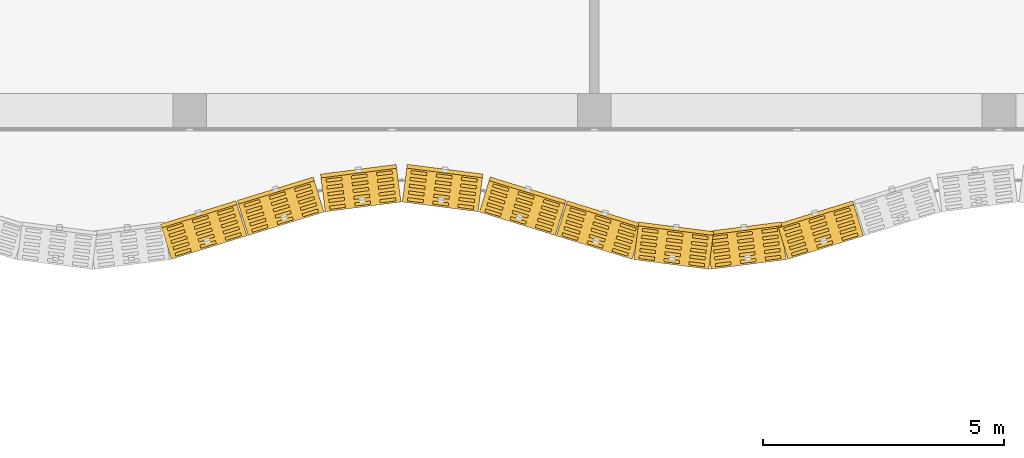
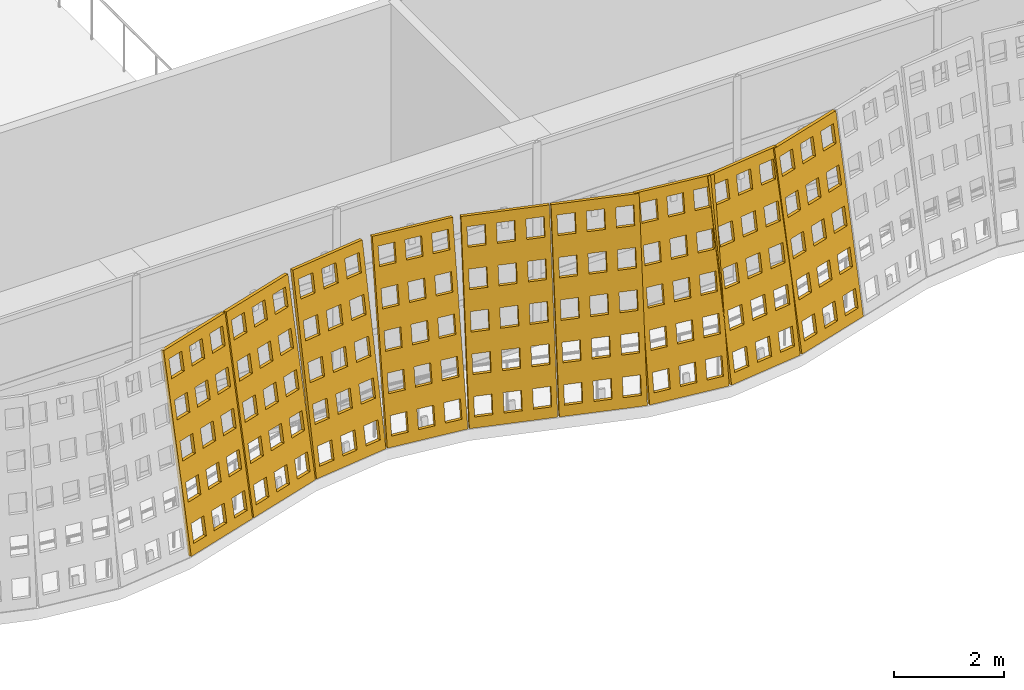
# One storey, part 130 of 162: 9 coverings.
"""IFC4 building model written with IfcOpenShell, lengths in metres."""

from ifc_helpers import new_model, si_unit, direction, frame, origin, place, context, subcontext, project, spatial, polyline, outline, extrude, material, layer, layer_set, type_object, element, save


model = new_model("IFC4")

# Units and contexts
model_context = context("Model", 3, precision=1e-05, world=origin(), true_north=direction((0.0, 1.0)))
body_context = subcontext(model_context, "Body", "Model", "MODEL_VIEW")
ifc_project = project(units=[si_unit("LENGTHUNIT", "METRE"), si_unit("AREAUNIT", "SQUARE_METRE"), si_unit("VOLUMEUNIT", "CUBIC_METRE"), si_unit("PLANEANGLEUNIT", "RADIAN"), si_unit("MASSUNIT", "GRAM", prefix="KILO")], contexts=[model_context])

# Site, building, storey
site_placement = place(None, origin())
site = spatial("IfcSite", under=ifc_project, at=site_placement, CompositionType="ELEMENT")
building_placement = place(site_placement, origin())
building = spatial("IfcBuilding", under=site, at=building_placement, Name="Rain Tree Exposition and Congress Centre", CompositionType="ELEMENT")
storey_placement = place(building_placement, frame((0.0, 0.0, 6.0)))
storey = spatial("IfcBuildingStorey", under=building, at=storey_placement, Name="L01", CompositionType="ELEMENT", Elevation=6.0)

# Coverings
ifc_material = material(Name="Perforated terracotta", Category="masonry")
ifc_layer = layer(ifc_material, 0.080078125)
ifc_layer_set = layer_set([ifc_layer], Name="Perforated terracotta")
covering_type = type_object("IfcCoveringType", Name="Terracotta screen 80", PredefinedType="CLADDING", material=ifc_layer_set)
covering_1_placement = place(storey_placement, frame((7.99951171875, 72.506591796875, 0.0126953125), z_axis=(-0.292932171154, 0.942875425902, -0.158671592708), x_axis=(-0.954973588716, -0.296690823679, 0.0)))
element("IfcCovering", 1, at=covering_1_placement, inside=storey, type_object=covering_type, Name="concourse/screen/L01/006", PredefinedType="CLADDING", context=body_context, shape_type="SweptSolid", body=[
    extrude(outline(polyline([(-1.659912109375, 0.0), (-1.659912109375, 4.29150390625), (-0.02197265625, 4.29150390625), (-0.02197265625, 0.0), (-1.659912109375, 0.0)]), holes=[polyline([(-0.125732421875, 0.221435546875), (-0.125732421875, 0.63671875), (-0.464111328125, 0.63671875), (-0.464111328125, 0.221435546875), (-0.125732421875, 0.221435546875)]), polyline([(-0.125732421875, 1.079833984375), (-0.125732421875, 1.4951171875), (-0.464111328125, 1.4951171875), (-0.464111328125, 1.079833984375), (-0.125732421875, 1.079833984375)]), polyline([(-0.125732421875, 1.93798828125), (-0.125732421875, 2.353271484375), (-0.464111328125, 2.353271484375), (-0.464111328125, 1.93798828125), (-0.125732421875, 1.93798828125)]), polyline([(-0.125732421875, 2.79638671875), (-0.125732421875, 3.211669921875), (-0.464111328125, 3.211669921875), (-0.464111328125, 2.79638671875), (-0.125732421875, 2.79638671875)]), polyline([(-0.125732421875, 3.654541015625), (-0.125732421875, 4.06982421875), (-0.464111328125, 4.06982421875), (-0.464111328125, 3.654541015625), (-0.125732421875, 3.654541015625)]), polyline([(-0.671630859375, 0.221435546875), (-0.671630859375, 0.63671875), (-1.010009765625, 0.63671875), (-1.010009765625, 0.221435546875), (-0.671630859375, 0.221435546875)]), polyline([(-0.671630859375, 1.079833984375), (-0.671630859375, 1.4951171875), (-1.010009765625, 1.4951171875), (-1.010009765625, 1.079833984375), (-0.671630859375, 1.079833984375)]), polyline([(-0.671630859375, 1.93798828125), (-0.671630859375, 2.353271484375), (-1.010009765625, 2.353271484375), (-1.010009765625, 1.93798828125), (-0.671630859375, 1.93798828125)]), polyline([(-0.671630859375, 2.79638671875), (-0.671630859375, 3.211669921875), (-1.010009765625, 3.211669921875), (-1.010009765625, 2.79638671875), (-0.671630859375, 2.79638671875)]), polyline([(-0.671630859375, 3.654541015625), (-0.671630859375, 4.06982421875), (-1.010009765625, 4.06982421875), (-1.010009765625, 3.654541015625), (-0.671630859375, 3.654541015625)]), polyline([(-1.217529296875, 0.221435546875), (-1.217529296875, 0.63671875), (-1.55615234375, 0.63671875), (-1.55615234375, 0.221435546875), (-1.217529296875, 0.221435546875)]), polyline([(-1.217529296875, 1.079833984375), (-1.217529296875, 1.4951171875), (-1.55615234375, 1.4951171875), (-1.55615234375, 1.079833984375), (-1.217529296875, 1.079833984375)]), polyline([(-1.217529296875, 1.93798828125), (-1.217529296875, 2.353271484375), (-1.55615234375, 2.353271484375), (-1.55615234375, 1.93798828125), (-1.217529296875, 1.93798828125)]), polyline([(-1.217529296875, 2.79638671875), (-1.217529296875, 3.211669921875), (-1.55615234375, 3.211669921875), (-1.55615234375, 2.79638671875), (-1.217529296875, 2.79638671875)]), polyline([(-1.217529296875, 3.654541015625), (-1.217529296875, 4.06982421875), (-1.55615234375, 4.06982421875), (-1.55615234375, 3.654541015625), (-1.217529296875, 3.654541015625)])]), origin(), (0.0, 0.0, 1.0), 0.080078125),
])
covering_2_placement = place(storey_placement, frame((9.599365234375, 73.001708984375, 0.0126953125), z_axis=(-0.290138898064, 0.943714942124, -0.158812870519), x_axis=(-0.955845867297, -0.293868470528, 0.0)))
element("IfcCovering", 2, at=covering_2_placement, inside=storey, type_object=covering_type, Name="concourse/screen/L01/007", PredefinedType="CLADDING", context=body_context, shape_type="SweptSolid", body=[
    extrude(outline(polyline([(-1.659912109375, 0.0), (-1.659912109375, 4.29150390625), (-0.014892578125, 4.29150390625), (-0.014892578125, 0.0), (-1.659912109375, 0.0)]), holes=[polyline([(-0.119140625, 0.221435546875), (-0.119140625, 0.63671875), (-0.458984375, 0.63671875), (-0.458984375, 0.221435546875), (-0.119140625, 0.221435546875)]), polyline([(-0.119140625, 1.079833984375), (-0.119140625, 1.4951171875), (-0.458984375, 1.4951171875), (-0.458984375, 1.079833984375), (-0.119140625, 1.079833984375)]), polyline([(-0.119140625, 1.93798828125), (-0.119140625, 2.353271484375), (-0.458984375, 2.353271484375), (-0.458984375, 1.93798828125), (-0.119140625, 1.93798828125)]), polyline([(-0.119140625, 2.79638671875), (-0.119140625, 3.211669921875), (-0.458984375, 3.211669921875), (-0.458984375, 2.79638671875), (-0.119140625, 2.79638671875)]), polyline([(-0.119140625, 3.654541015625), (-0.119140625, 4.06982421875), (-0.458984375, 4.06982421875), (-0.458984375, 3.654541015625), (-0.119140625, 3.654541015625)]), polyline([(-0.66748046875, 0.221435546875), (-0.66748046875, 0.63671875), (-1.00732421875, 0.63671875), (-1.00732421875, 0.221435546875), (-0.66748046875, 0.221435546875)]), polyline([(-0.66748046875, 1.079833984375), (-0.66748046875, 1.4951171875), (-1.00732421875, 1.4951171875), (-1.00732421875, 1.079833984375), (-0.66748046875, 1.079833984375)]), polyline([(-0.66748046875, 1.93798828125), (-0.66748046875, 2.353271484375), (-1.00732421875, 2.353271484375), (-1.00732421875, 1.93798828125), (-0.66748046875, 1.93798828125)]), polyline([(-0.66748046875, 2.79638671875), (-0.66748046875, 3.211669921875), (-1.00732421875, 3.211669921875), (-1.00732421875, 2.79638671875), (-0.66748046875, 2.79638671875)]), polyline([(-0.66748046875, 3.654541015625), (-0.66748046875, 4.06982421875), (-1.00732421875, 4.06982421875), (-1.00732421875, 3.654541015625), (-0.66748046875, 3.654541015625)]), polyline([(-1.2158203125, 0.221435546875), (-1.2158203125, 0.63671875), (-1.5556640625, 0.63671875), (-1.5556640625, 0.221435546875), (-1.2158203125, 0.221435546875)]), polyline([(-1.2158203125, 1.079833984375), (-1.2158203125, 1.4951171875), (-1.5556640625, 1.4951171875), (-1.5556640625, 1.079833984375), (-1.2158203125, 1.079833984375)]), polyline([(-1.2158203125, 1.93798828125), (-1.2158203125, 2.353271484375), (-1.5556640625, 2.353271484375), (-1.5556640625, 1.93798828125), (-1.2158203125, 1.93798828125)]), polyline([(-1.2158203125, 2.79638671875), (-1.2158203125, 3.211669921875), (-1.5556640625, 3.211669921875), (-1.5556640625, 2.79638671875), (-1.2158203125, 2.79638671875)]), polyline([(-1.2158203125, 3.654541015625), (-1.2158203125, 4.06982421875), (-1.5556640625, 4.06982421875), (-1.5556640625, 3.654541015625), (-1.2158203125, 3.654541015625)])]), origin(), (0.0, 0.0, 1.0), 0.079833984375),
])
covering_3_placement = place(storey_placement, frame((11.19970703125, 73.496826171875, 0.01318359375), z_axis=(-0.124968640969, 0.978413018317, -0.164592844203), x_axis=(-0.991941518713, -0.126696580272, 0.0)))
element("IfcCovering", 3, at=covering_3_placement, inside=storey, type_object=covering_type, Name="concourse/screen/L01/008", PredefinedType="CLADDING", context=body_context, shape_type="SweptSolid", body=[
    extrude(outline(polyline([(-1.59814453125, 0.0), (-1.59814453125, 4.295166015625), (-0.014892578125, 4.295166015625), (-0.014892578125, 0.0), (-1.59814453125, 0.0)]), holes=[polyline([(-0.115234375, 0.2216796875), (-0.115234375, 0.63720703125), (-0.4423828125, 0.63720703125), (-0.4423828125, 0.2216796875), (-0.115234375, 0.2216796875)]), polyline([(-0.115234375, 1.080810546875), (-0.115234375, 1.496337890625), (-0.4423828125, 1.496337890625), (-0.4423828125, 1.080810546875), (-0.115234375, 1.080810546875)]), polyline([(-0.115234375, 1.939697265625), (-0.115234375, 2.35546875), (-0.4423828125, 2.35546875), (-0.4423828125, 1.939697265625), (-0.115234375, 1.939697265625)]), polyline([(-0.115234375, 2.798583984375), (-0.115234375, 3.21435546875), (-0.4423828125, 3.21435546875), (-0.4423828125, 2.798583984375), (-0.115234375, 2.798583984375)]), polyline([(-0.115234375, 3.65771484375), (-0.115234375, 4.073486328125), (-0.4423828125, 4.073486328125), (-0.4423828125, 3.65771484375), (-0.115234375, 3.65771484375)]), polyline([(-0.64306640625, 0.2216796875), (-0.64306640625, 0.63720703125), (-0.97021484375, 0.63720703125), (-0.97021484375, 0.2216796875), (-0.64306640625, 0.2216796875)]), polyline([(-0.64306640625, 1.080810546875), (-0.64306640625, 1.496337890625), (-0.97021484375, 1.496337890625), (-0.97021484375, 1.080810546875), (-0.64306640625, 1.080810546875)]), polyline([(-0.64306640625, 1.939697265625), (-0.64306640625, 2.35546875), (-0.97021484375, 2.35546875), (-0.97021484375, 1.939697265625), (-0.64306640625, 1.939697265625)]), polyline([(-0.64306640625, 2.798583984375), (-0.64306640625, 3.21435546875), (-0.97021484375, 3.21435546875), (-0.97021484375, 2.798583984375), (-0.64306640625, 2.798583984375)]), polyline([(-0.64306640625, 3.65771484375), (-0.64306640625, 4.073486328125), (-0.97021484375, 4.073486328125), (-0.97021484375, 3.65771484375), (-0.64306640625, 3.65771484375)]), polyline([(-1.170654296875, 0.2216796875), (-1.170654296875, 0.63720703125), (-1.497802734375, 0.63720703125), (-1.497802734375, 0.2216796875), (-1.170654296875, 0.2216796875)]), polyline([(-1.170654296875, 1.080810546875), (-1.170654296875, 1.496337890625), (-1.497802734375, 1.496337890625), (-1.497802734375, 1.080810546875), (-1.170654296875, 1.080810546875)]), polyline([(-1.170654296875, 1.939697265625), (-1.170654296875, 2.35546875), (-1.497802734375, 2.35546875), (-1.497802734375, 1.939697265625), (-1.170654296875, 1.939697265625)]), polyline([(-1.170654296875, 2.798583984375), (-1.170654296875, 3.21435546875), (-1.497802734375, 3.21435546875), (-1.497802734375, 2.798583984375), (-1.170654296875, 2.798583984375)]), polyline([(-1.170654296875, 3.65771484375), (-1.170654296875, 4.073486328125), (-1.497802734375, 4.073486328125), (-1.497802734375, 3.65771484375), (-1.170654296875, 3.65771484375)])]), origin(), (0.0, 0.0, 1.0), 0.080078125),
])
covering_4_placement = place(storey_placement, frame((12.80029296875, 73.701904296875, 0.01318359375), z_axis=(0.125342414455, 0.978282259159, -0.165085131233), x_axis=(-0.991891686382, 0.127086122318, 0.0)))
element("IfcCovering", 4, at=covering_4_placement, inside=storey, type_object=covering_type, Name="concourse/screen/L01/009", PredefinedType="CLADDING", context=body_context, shape_type="SweptSolid", body=[
    extrude(outline(polyline([(-1.59814453125, 0.0), (-1.59814453125, 4.295166015625), (-0.014892578125, 4.295166015625), (-0.014892578125, 0.0), (-1.59814453125, 0.0)]), holes=[polyline([(-0.115234375, 0.2216796875), (-0.115234375, 0.63720703125), (-0.4423828125, 0.63720703125), (-0.4423828125, 0.2216796875), (-0.115234375, 0.2216796875)]), polyline([(-0.115234375, 1.080810546875), (-0.115234375, 1.496337890625), (-0.4423828125, 1.496337890625), (-0.4423828125, 1.080810546875), (-0.115234375, 1.080810546875)]), polyline([(-0.115234375, 1.939697265625), (-0.115234375, 2.35546875), (-0.4423828125, 2.35546875), (-0.4423828125, 1.939697265625), (-0.115234375, 1.939697265625)]), polyline([(-0.115234375, 2.798583984375), (-0.115234375, 3.21435546875), (-0.4423828125, 3.21435546875), (-0.4423828125, 2.798583984375), (-0.115234375, 2.798583984375)]), polyline([(-0.115234375, 3.65771484375), (-0.115234375, 4.073486328125), (-0.4423828125, 4.073486328125), (-0.4423828125, 3.65771484375), (-0.115234375, 3.65771484375)]), polyline([(-0.64306640625, 0.2216796875), (-0.64306640625, 0.63720703125), (-0.97021484375, 0.63720703125), (-0.97021484375, 0.2216796875), (-0.64306640625, 0.2216796875)]), polyline([(-0.64306640625, 1.080810546875), (-0.64306640625, 1.496337890625), (-0.97021484375, 1.496337890625), (-0.97021484375, 1.080810546875), (-0.64306640625, 1.080810546875)]), polyline([(-0.64306640625, 1.939697265625), (-0.64306640625, 2.35546875), (-0.97021484375, 2.35546875), (-0.97021484375, 1.939697265625), (-0.64306640625, 1.939697265625)]), polyline([(-0.64306640625, 2.798583984375), (-0.64306640625, 3.21435546875), (-0.97021484375, 3.21435546875), (-0.97021484375, 2.798583984375), (-0.64306640625, 2.798583984375)]), polyline([(-0.64306640625, 3.65771484375), (-0.64306640625, 4.073486328125), (-0.97021484375, 4.073486328125), (-0.97021484375, 3.65771484375), (-0.64306640625, 3.65771484375)]), polyline([(-1.170654296875, 0.2216796875), (-1.170654296875, 0.63720703125), (-1.497802734375, 0.63720703125), (-1.497802734375, 0.2216796875), (-1.170654296875, 0.2216796875)]), polyline([(-1.170654296875, 1.080810546875), (-1.170654296875, 1.496337890625), (-1.497802734375, 1.496337890625), (-1.497802734375, 1.080810546875), (-1.170654296875, 1.080810546875)]), polyline([(-1.170654296875, 1.939697265625), (-1.170654296875, 2.35546875), (-1.497802734375, 2.35546875), (-1.497802734375, 1.939697265625), (-1.170654296875, 1.939697265625)]), polyline([(-1.170654296875, 2.798583984375), (-1.170654296875, 3.21435546875), (-1.497802734375, 3.21435546875), (-1.497802734375, 2.798583984375), (-1.170654296875, 2.798583984375)]), polyline([(-1.170654296875, 3.65771484375), (-1.170654296875, 4.073486328125), (-1.497802734375, 4.073486328125), (-1.497802734375, 3.65771484375), (-1.170654296875, 3.65771484375)])]), origin(), (0.0, 0.0, 1.0), 0.079833984375),
])
covering_5_placement = place(storey_placement, frame((14.400634765625, 73.49658203125, 0.0126953125), z_axis=(0.290138898064, 0.943714942124, -0.158812870519), x_axis=(-0.955845867297, 0.293868470528, 0.0)))
element("IfcCovering", 5, at=covering_5_placement, inside=storey, type_object=covering_type, Name="concourse/screen/L01/010", PredefinedType="CLADDING", context=body_context, shape_type="SweptSolid", body=[
    extrude(outline(polyline([(-1.659912109375, 0.0), (-1.659912109375, 4.29150390625), (-0.014892578125, 4.29150390625), (-0.014892578125, 0.0), (-1.659912109375, 0.0)]), holes=[polyline([(-0.119140625, 0.221435546875), (-0.119140625, 0.63671875), (-0.458984375, 0.63671875), (-0.458984375, 0.221435546875), (-0.119140625, 0.221435546875)]), polyline([(-0.119140625, 1.079833984375), (-0.119140625, 1.4951171875), (-0.458984375, 1.4951171875), (-0.458984375, 1.079833984375), (-0.119140625, 1.079833984375)]), polyline([(-0.119140625, 1.93798828125), (-0.119140625, 2.353271484375), (-0.458984375, 2.353271484375), (-0.458984375, 1.93798828125), (-0.119140625, 1.93798828125)]), polyline([(-0.119140625, 2.79638671875), (-0.119140625, 3.211669921875), (-0.458984375, 3.211669921875), (-0.458984375, 2.79638671875), (-0.119140625, 2.79638671875)]), polyline([(-0.119140625, 3.654541015625), (-0.119140625, 4.06982421875), (-0.458984375, 4.06982421875), (-0.458984375, 3.654541015625), (-0.119140625, 3.654541015625)]), polyline([(-0.66748046875, 0.221435546875), (-0.66748046875, 0.63671875), (-1.00732421875, 0.63671875), (-1.00732421875, 0.221435546875), (-0.66748046875, 0.221435546875)]), polyline([(-0.66748046875, 1.079833984375), (-0.66748046875, 1.4951171875), (-1.00732421875, 1.4951171875), (-1.00732421875, 1.079833984375), (-0.66748046875, 1.079833984375)]), polyline([(-0.66748046875, 1.93798828125), (-0.66748046875, 2.353271484375), (-1.00732421875, 2.353271484375), (-1.00732421875, 1.93798828125), (-0.66748046875, 1.93798828125)]), polyline([(-0.66748046875, 2.79638671875), (-0.66748046875, 3.211669921875), (-1.00732421875, 3.211669921875), (-1.00732421875, 2.79638671875), (-0.66748046875, 2.79638671875)]), polyline([(-0.66748046875, 3.654541015625), (-0.66748046875, 4.06982421875), (-1.00732421875, 4.06982421875), (-1.00732421875, 3.654541015625), (-0.66748046875, 3.654541015625)]), polyline([(-1.2158203125, 0.221435546875), (-1.2158203125, 0.63671875), (-1.5556640625, 0.63671875), (-1.5556640625, 0.221435546875), (-1.2158203125, 0.221435546875)]), polyline([(-1.2158203125, 1.079833984375), (-1.2158203125, 1.4951171875), (-1.5556640625, 1.4951171875), (-1.5556640625, 1.079833984375), (-1.2158203125, 1.079833984375)]), polyline([(-1.2158203125, 1.93798828125), (-1.2158203125, 2.353271484375), (-1.5556640625, 2.353271484375), (-1.5556640625, 1.93798828125), (-1.2158203125, 1.93798828125)]), polyline([(-1.2158203125, 2.79638671875), (-1.2158203125, 3.211669921875), (-1.5556640625, 3.211669921875), (-1.5556640625, 2.79638671875), (-1.2158203125, 2.79638671875)]), polyline([(-1.2158203125, 3.654541015625), (-1.2158203125, 4.06982421875), (-1.5556640625, 4.06982421875), (-1.5556640625, 3.654541015625), (-1.2158203125, 3.654541015625)])]), origin(), (0.0, 0.0, 1.0), 0.079833984375),
])
covering_6_placement = place(storey_placement, frame((16.00048828125, 73.001708984375, 0.0126953125), z_axis=(0.292932171154, 0.942875425902, -0.158671592708), x_axis=(-0.954973588716, 0.296690823679, 0.0)))
element("IfcCovering", 6, at=covering_6_placement, inside=storey, type_object=covering_type, Name="concourse/screen/L01/011", PredefinedType="CLADDING", context=body_context, shape_type="SweptSolid", body=[
    extrude(outline(polyline([(-1.65283203125, 0.0), (-1.65283203125, 4.29150390625), (-0.014892578125, 4.29150390625), (-0.014892578125, 0.0), (-1.65283203125, 0.0)]), holes=[polyline([(-0.11865234375, 0.221435546875), (-0.11865234375, 0.63671875), (-0.457275390625, 0.63671875), (-0.457275390625, 0.221435546875), (-0.11865234375, 0.221435546875)]), polyline([(-0.11865234375, 1.079833984375), (-0.11865234375, 1.4951171875), (-0.457275390625, 1.4951171875), (-0.457275390625, 1.079833984375), (-0.11865234375, 1.079833984375)]), polyline([(-0.11865234375, 1.93798828125), (-0.11865234375, 2.353271484375), (-0.457275390625, 2.353271484375), (-0.457275390625, 1.93798828125), (-0.11865234375, 1.93798828125)]), polyline([(-0.11865234375, 2.79638671875), (-0.11865234375, 3.211669921875), (-0.457275390625, 3.211669921875), (-0.457275390625, 2.79638671875), (-0.11865234375, 2.79638671875)]), polyline([(-0.11865234375, 3.654541015625), (-0.11865234375, 4.06982421875), (-0.457275390625, 4.06982421875), (-0.457275390625, 3.654541015625), (-0.11865234375, 3.654541015625)]), polyline([(-0.664794921875, 0.221435546875), (-0.664794921875, 0.63671875), (-1.003173828125, 0.63671875), (-1.003173828125, 0.221435546875), (-0.664794921875, 0.221435546875)]), polyline([(-0.664794921875, 1.079833984375), (-0.664794921875, 1.4951171875), (-1.003173828125, 1.4951171875), (-1.003173828125, 1.079833984375), (-0.664794921875, 1.079833984375)]), polyline([(-0.664794921875, 1.93798828125), (-0.664794921875, 2.353271484375), (-1.003173828125, 2.353271484375), (-1.003173828125, 1.93798828125), (-0.664794921875, 1.93798828125)]), polyline([(-0.664794921875, 2.79638671875), (-0.664794921875, 3.211669921875), (-1.003173828125, 3.211669921875), (-1.003173828125, 2.79638671875), (-0.664794921875, 2.79638671875)]), polyline([(-0.664794921875, 3.654541015625), (-0.664794921875, 4.06982421875), (-1.003173828125, 4.06982421875), (-1.003173828125, 3.654541015625), (-0.664794921875, 3.654541015625)]), polyline([(-1.210693359375, 0.221435546875), (-1.210693359375, 0.63671875), (-1.54931640625, 0.63671875), (-1.54931640625, 0.221435546875), (-1.210693359375, 0.221435546875)]), polyline([(-1.210693359375, 1.079833984375), (-1.210693359375, 1.4951171875), (-1.54931640625, 1.4951171875), (-1.54931640625, 1.079833984375), (-1.210693359375, 1.079833984375)]), polyline([(-1.210693359375, 1.93798828125), (-1.210693359375, 2.353271484375), (-1.54931640625, 2.353271484375), (-1.54931640625, 1.93798828125), (-1.210693359375, 1.93798828125)]), polyline([(-1.210693359375, 2.79638671875), (-1.210693359375, 3.211669921875), (-1.54931640625, 3.211669921875), (-1.54931640625, 2.79638671875), (-1.210693359375, 2.79638671875)]), polyline([(-1.210693359375, 3.654541015625), (-1.210693359375, 4.06982421875), (-1.54931640625, 4.06982421875), (-1.54931640625, 3.654541015625), (-1.210693359375, 3.654541015625)])]), origin(), (0.0, 0.0, 1.0), 0.080078125),
])
covering_7_placement = place(storey_placement, frame((17.600341796875, 72.5068359375, 0.01318359375), z_axis=(0.124968640969, 0.978413018317, -0.164592844203), x_axis=(-0.991941518713, 0.126696580272, 0.0)))
element("IfcCovering", 7, at=covering_7_placement, inside=storey, type_object=covering_type, Name="concourse/screen/L01/012", PredefinedType="CLADDING", context=body_context, shape_type="SweptSolid", body=[
    extrude(outline(polyline([(-1.587890625, 0.0), (-1.587890625, 4.295166015625), (-0.02197265625, 4.295166015625), (-0.02197265625, 0.0), (-1.587890625, 0.0)]), holes=[polyline([(-0.12109375, 0.2216796875), (-0.12109375, 0.63720703125), (-0.444580078125, 0.63720703125), (-0.444580078125, 0.2216796875), (-0.12109375, 0.2216796875)]), polyline([(-0.12109375, 1.080810546875), (-0.12109375, 1.496337890625), (-0.444580078125, 1.496337890625), (-0.444580078125, 1.080810546875), (-0.12109375, 1.080810546875)]), polyline([(-0.12109375, 1.939697265625), (-0.12109375, 2.35546875), (-0.444580078125, 2.35546875), (-0.444580078125, 1.939697265625), (-0.12109375, 1.939697265625)]), polyline([(-0.12109375, 2.798583984375), (-0.12109375, 3.21435546875), (-0.444580078125, 3.21435546875), (-0.444580078125, 2.798583984375), (-0.12109375, 2.798583984375)]), polyline([(-0.12109375, 3.65771484375), (-0.12109375, 4.073486328125), (-0.444580078125, 4.073486328125), (-0.444580078125, 3.65771484375), (-0.12109375, 3.65771484375)]), polyline([(-0.64306640625, 0.2216796875), (-0.64306640625, 0.63720703125), (-0.966796875, 0.63720703125), (-0.966796875, 0.2216796875), (-0.64306640625, 0.2216796875)]), polyline([(-0.64306640625, 1.080810546875), (-0.64306640625, 1.496337890625), (-0.966796875, 1.496337890625), (-0.966796875, 1.080810546875), (-0.64306640625, 1.080810546875)]), polyline([(-0.64306640625, 1.939697265625), (-0.64306640625, 2.35546875), (-0.966796875, 2.35546875), (-0.966796875, 1.939697265625), (-0.64306640625, 1.939697265625)]), polyline([(-0.64306640625, 2.798583984375), (-0.64306640625, 3.21435546875), (-0.966796875, 3.21435546875), (-0.966796875, 2.798583984375), (-0.64306640625, 2.798583984375)]), polyline([(-0.64306640625, 3.65771484375), (-0.64306640625, 4.073486328125), (-0.966796875, 4.073486328125), (-0.966796875, 3.65771484375), (-0.64306640625, 3.65771484375)]), polyline([(-1.1650390625, 0.2216796875), (-1.1650390625, 0.63720703125), (-1.48876953125, 0.63720703125), (-1.48876953125, 0.2216796875), (-1.1650390625, 0.2216796875)]), polyline([(-1.1650390625, 1.080810546875), (-1.1650390625, 1.496337890625), (-1.48876953125, 1.496337890625), (-1.48876953125, 1.080810546875), (-1.1650390625, 1.080810546875)]), polyline([(-1.1650390625, 1.939697265625), (-1.1650390625, 2.35546875), (-1.48876953125, 2.35546875), (-1.48876953125, 1.939697265625), (-1.1650390625, 1.939697265625)]), polyline([(-1.1650390625, 2.798583984375), (-1.1650390625, 3.21435546875), (-1.48876953125, 3.21435546875), (-1.48876953125, 2.798583984375), (-1.1650390625, 2.798583984375)]), polyline([(-1.1650390625, 3.65771484375), (-1.1650390625, 4.073486328125), (-1.48876953125, 4.073486328125), (-1.48876953125, 3.65771484375), (-1.1650390625, 3.65771484375)])]), origin(), (0.0, 0.0, 1.0), 0.080078125),
])
covering_8_placement = place(storey_placement, frame((19.19970703125, 72.302001953125, 0.01318359375), z_axis=(-0.125342414455, 0.978282259159, -0.165085131233), x_axis=(-0.991891686382, -0.127086122318, 0.0)))
element("IfcCovering", 8, at=covering_8_placement, inside=storey, type_object=covering_type, Name="concourse/screen/L01/013", PredefinedType="CLADDING", context=body_context, shape_type="SweptSolid", body=[
    extrude(outline(polyline([(-1.59130859375, 0.0), (-1.59130859375, 4.295166015625), (-0.025146484375, 4.295166015625), (-0.025146484375, 0.0), (-1.59130859375, 0.0)]), holes=[polyline([(-0.12451171875, 0.2216796875), (-0.12451171875, 0.63720703125), (-0.447998046875, 0.63720703125), (-0.447998046875, 0.2216796875), (-0.12451171875, 0.2216796875)]), polyline([(-0.12451171875, 1.080810546875), (-0.12451171875, 1.496337890625), (-0.447998046875, 1.496337890625), (-0.447998046875, 1.080810546875), (-0.12451171875, 1.080810546875)]), polyline([(-0.12451171875, 1.939697265625), (-0.12451171875, 2.35546875), (-0.447998046875, 2.35546875), (-0.447998046875, 1.939697265625), (-0.12451171875, 1.939697265625)]), polyline([(-0.12451171875, 2.798583984375), (-0.12451171875, 3.21435546875), (-0.447998046875, 3.21435546875), (-0.447998046875, 2.798583984375), (-0.12451171875, 2.798583984375)]), polyline([(-0.12451171875, 3.65771484375), (-0.12451171875, 4.073486328125), (-0.447998046875, 4.073486328125), (-0.447998046875, 3.65771484375), (-0.12451171875, 3.65771484375)]), polyline([(-0.646484375, 0.2216796875), (-0.646484375, 0.63720703125), (-0.969970703125, 0.63720703125), (-0.969970703125, 0.2216796875), (-0.646484375, 0.2216796875)]), polyline([(-0.646484375, 1.080810546875), (-0.646484375, 1.496337890625), (-0.969970703125, 1.496337890625), (-0.969970703125, 1.080810546875), (-0.646484375, 1.080810546875)]), polyline([(-0.646484375, 1.939697265625), (-0.646484375, 2.35546875), (-0.969970703125, 2.35546875), (-0.969970703125, 1.939697265625), (-0.646484375, 1.939697265625)]), polyline([(-0.646484375, 2.798583984375), (-0.646484375, 3.21435546875), (-0.969970703125, 3.21435546875), (-0.969970703125, 2.798583984375), (-0.646484375, 2.798583984375)]), polyline([(-0.646484375, 3.65771484375), (-0.646484375, 4.073486328125), (-0.969970703125, 4.073486328125), (-0.969970703125, 3.65771484375), (-0.646484375, 3.65771484375)]), polyline([(-1.16845703125, 0.2216796875), (-1.16845703125, 0.63720703125), (-1.491943359375, 0.63720703125), (-1.491943359375, 0.2216796875), (-1.16845703125, 0.2216796875)]), polyline([(-1.16845703125, 1.080810546875), (-1.16845703125, 1.496337890625), (-1.491943359375, 1.496337890625), (-1.491943359375, 1.080810546875), (-1.16845703125, 1.080810546875)]), polyline([(-1.16845703125, 1.939697265625), (-1.16845703125, 2.35546875), (-1.491943359375, 2.35546875), (-1.491943359375, 1.939697265625), (-1.16845703125, 1.939697265625)]), polyline([(-1.16845703125, 2.798583984375), (-1.16845703125, 3.21435546875), (-1.491943359375, 3.21435546875), (-1.491943359375, 2.798583984375), (-1.16845703125, 2.798583984375)]), polyline([(-1.16845703125, 3.65771484375), (-1.16845703125, 4.073486328125), (-1.491943359375, 4.073486328125), (-1.491943359375, 3.65771484375), (-1.16845703125, 3.65771484375)])]), origin(), (0.0, 0.0, 1.0), 0.079833984375),
])
covering_9_placement = place(storey_placement, frame((20.79931640625, 72.506591796875, 0.0126953125), z_axis=(-0.290138898064, 0.943714942124, -0.158812870519), x_axis=(-0.955845867297, -0.293868470528, 0.0)))
element("IfcCovering", 9, at=covering_9_placement, inside=storey, type_object=covering_type, Name="concourse/screen/L01/014", PredefinedType="CLADDING", context=body_context, shape_type="SweptSolid", body=[
    extrude(outline(polyline([(-1.659912109375, 0.0), (-1.659912109375, 4.29150390625), (-0.02197265625, 4.29150390625), (-0.02197265625, 0.0), (-1.659912109375, 0.0)]), holes=[polyline([(-0.125732421875, 0.221435546875), (-0.125732421875, 0.63671875), (-0.464111328125, 0.63671875), (-0.464111328125, 0.221435546875), (-0.125732421875, 0.221435546875)]), polyline([(-0.125732421875, 1.079833984375), (-0.125732421875, 1.4951171875), (-0.464111328125, 1.4951171875), (-0.464111328125, 1.079833984375), (-0.125732421875, 1.079833984375)]), polyline([(-0.125732421875, 1.93798828125), (-0.125732421875, 2.353271484375), (-0.464111328125, 2.353271484375), (-0.464111328125, 1.93798828125), (-0.125732421875, 1.93798828125)]), polyline([(-0.125732421875, 2.79638671875), (-0.125732421875, 3.211669921875), (-0.464111328125, 3.211669921875), (-0.464111328125, 2.79638671875), (-0.125732421875, 2.79638671875)]), polyline([(-0.125732421875, 3.654541015625), (-0.125732421875, 4.06982421875), (-0.464111328125, 4.06982421875), (-0.464111328125, 3.654541015625), (-0.125732421875, 3.654541015625)]), polyline([(-0.671630859375, 0.221435546875), (-0.671630859375, 0.63671875), (-1.010009765625, 0.63671875), (-1.010009765625, 0.221435546875), (-0.671630859375, 0.221435546875)]), polyline([(-0.671630859375, 1.079833984375), (-0.671630859375, 1.4951171875), (-1.010009765625, 1.4951171875), (-1.010009765625, 1.079833984375), (-0.671630859375, 1.079833984375)]), polyline([(-0.671630859375, 1.93798828125), (-0.671630859375, 2.353271484375), (-1.010009765625, 2.353271484375), (-1.010009765625, 1.93798828125), (-0.671630859375, 1.93798828125)]), polyline([(-0.671630859375, 2.79638671875), (-0.671630859375, 3.211669921875), (-1.010009765625, 3.211669921875), (-1.010009765625, 2.79638671875), (-0.671630859375, 2.79638671875)]), polyline([(-0.671630859375, 3.654541015625), (-0.671630859375, 4.06982421875), (-1.010009765625, 4.06982421875), (-1.010009765625, 3.654541015625), (-0.671630859375, 3.654541015625)]), polyline([(-1.217529296875, 0.221435546875), (-1.217529296875, 0.63671875), (-1.55615234375, 0.63671875), (-1.55615234375, 0.221435546875), (-1.217529296875, 0.221435546875)]), polyline([(-1.217529296875, 1.079833984375), (-1.217529296875, 1.4951171875), (-1.55615234375, 1.4951171875), (-1.55615234375, 1.079833984375), (-1.217529296875, 1.079833984375)]), polyline([(-1.217529296875, 1.93798828125), (-1.217529296875, 2.353271484375), (-1.55615234375, 2.353271484375), (-1.55615234375, 1.93798828125), (-1.217529296875, 1.93798828125)]), polyline([(-1.217529296875, 2.79638671875), (-1.217529296875, 3.211669921875), (-1.55615234375, 3.211669921875), (-1.55615234375, 2.79638671875), (-1.217529296875, 2.79638671875)]), polyline([(-1.217529296875, 3.654541015625), (-1.217529296875, 4.06982421875), (-1.55615234375, 4.06982421875), (-1.55615234375, 3.654541015625), (-1.217529296875, 3.654541015625)])]), origin(), (0.0, 0.0, 1.0), 0.079833984375),
])

save(model, "model.ifc")
